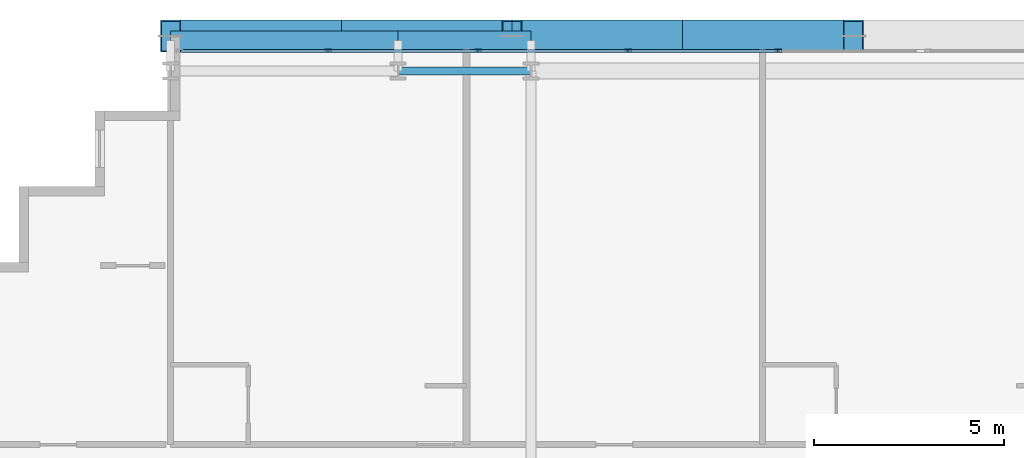
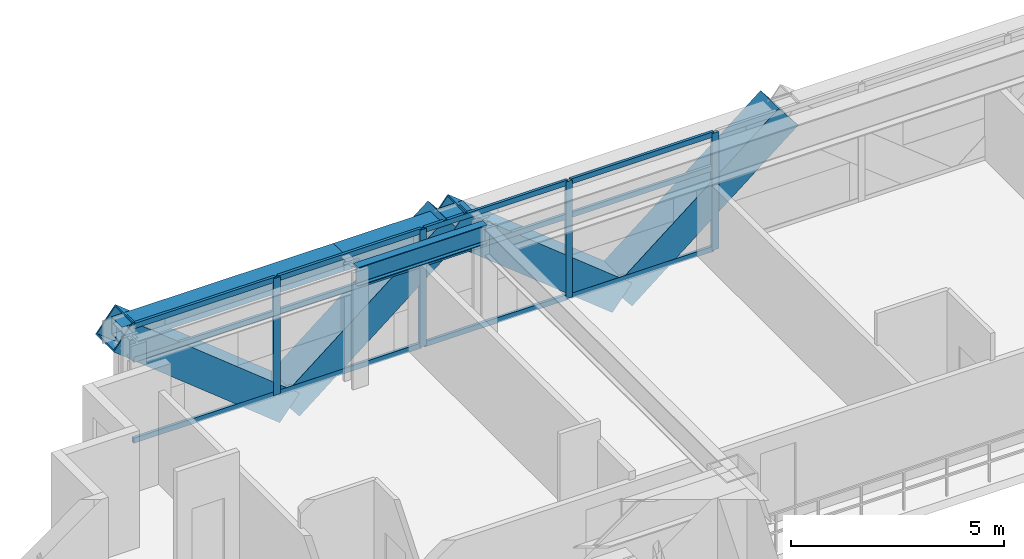
# One storey, part 18 of 38: 20 members, 3 beams, 1 element without a shape of its own.
"""IFC4 building model written with IfcOpenShell, lengths in metres."""

from ifc_helpers import new_model, si_unit, direction, frame, origin, origin_2d, place, context, subcontext, project, spatial, hollow_rectangle, i_section, extrude, source, transform, mapped, material, layer, layer_set, material_profile, profile_set, type_object, element, aggregate, save


model = new_model("IFC4")

# Units and contexts
model_context = context("Model", 3, precision=1e-05, world=origin(), true_north=direction((0.0, 1.0)))
body_context = subcontext(model_context, "Body", "Model", "MODEL_VIEW")
ifc_project = project(units=[si_unit("LENGTHUNIT", "METRE"), si_unit("AREAUNIT", "SQUARE_METRE"), si_unit("VOLUMEUNIT", "CUBIC_METRE"), si_unit("PLANEANGLEUNIT", "RADIAN"), si_unit("MASSUNIT", "GRAM", prefix="KILO")], contexts=[model_context])

# Site, building, storey
site_placement = place(None, origin())
site = spatial("IfcSite", under=ifc_project, at=site_placement, CompositionType="ELEMENT")
building_placement = place(site_placement, origin())
building = spatial("IfcBuilding", under=site, at=building_placement, Name="Ocotamira Hotel", CompositionType="ELEMENT")
storey_placement = place(building_placement, frame((0.0, 0.0, 60.0)))
storey = spatial("IfcBuildingStorey", under=building, at=storey_placement, Name="L14", CompositionType="ELEMENT", Elevation=60.0)

# Beams
ifc_material_1 = material(Name="Steel ASTM A992 Grade 50", Category="steel")
ifc_material_profile_1 = material_profile(ifc_material_1, i_section(OverallWidth=0.2099609375, OverallDepth=0.537109375, WebThickness=0.010986328125, FlangeThickness=0.017333984375, FilletRadius=0.012939453125, at=origin_2d()), Name="W21X68")
ifc_profile_set_1 = profile_set([ifc_material_profile_1], Name="Steel ASTM A992 Grade 50")
beam_type_1 = type_object("IfcBeamType", Name="BM-SEC-W21X68", PredefinedType="JOIST", material=ifc_profile_set_1)
shared_shape_1 = source(origin(), body_context, "Body", "SweptSolid", [
    extrude(i_section(OverallWidth=0.2099609375, OverallDepth=0.537109375, WebThickness=0.010986328125, FlangeThickness=0.017333984375, FilletRadius=0.012939453125, at=origin_2d()), origin(), (0.0, 0.0, 1.0), 3.5),
])
beam_1_placement = place(storey_placement, frame((20.0, 49.050048828125, 3.08154296875), z_axis=(1.0, 0.0, 0.0), x_axis=(0.0, 1.0, 0.0)))
element("IfcBeam", 1, at=beam_1_placement, inside=storey, type_object=beam_type_1, Name="L14 Girder Y49.05 X20-23.5", PredefinedType="JOIST", context=body_context, shape_type="MappedRepresentation", body=[
    mapped(shared_shape_1, transform((0.0, 0.0, 0.0), scale=1.0)),
])
ifc_material_2 = material(Name="Steel ASTM A500 Grade C", Category="steel")
ifc_material_profile_2 = material_profile(ifc_material_2, hollow_rectangle(XDim=0.5, YDim=0.5, WallThickness=0.02001953125, at=origin_2d()), Name="HSS500X500X20")
ifc_profile_set_2 = profile_set([ifc_material_profile_2], Name="Steel ASTM A500 Grade C")
beam_type_2 = type_object("IfcBeamType", Name="BM-SPAN-HSS500", PredefinedType="USERDEFINED", material=ifc_profile_set_2)
shared_shape_2 = source(origin(), body_context, "Body", "SweptSolid", [
    extrude(hollow_rectangle(XDim=0.5, YDim=0.5, WallThickness=0.02001953125, at=origin_2d()), origin(), (0.0, 0.0, 1.0), 6.0),
])
beam_2_placement = place(storey_placement, frame((14.0, 49.85009765625, 3.10009765625), z_axis=(1.0, 0.0, 0.0), x_axis=(0.0, 1.0, 0.0)))
element("IfcBeam", 2, at=beam_2_placement, inside=storey, type_object=beam_type_2, Name="L14 Edge Spandrel N X14-20", ObjectType="SPANDREL", PredefinedType="USERDEFINED", context=body_context, shape_type="MappedRepresentation", body=[
    mapped(shared_shape_2, transform((0.0, 0.0, 0.0), scale=1.0)),
])
shared_shape_3 = source(origin(), body_context, "Body", "SweptSolid", [
    extrude(hollow_rectangle(XDim=0.5, YDim=0.5, WallThickness=0.02001953125, at=origin_2d()), origin(), (0.0, 0.0, 1.0), 3.5),
])
beam_3_placement = place(storey_placement, frame((20.0, 49.85009765625, 3.10009765625), z_axis=(1.0, 0.0, 0.0), x_axis=(0.0, 1.0, 0.0)))
element("IfcBeam", 3, at=beam_3_placement, inside=storey, type_object=beam_type_2, Name="L14 Edge Spandrel N X20-23.5", ObjectType="SPANDREL", PredefinedType="USERDEFINED", context=body_context, shape_type="MappedRepresentation", body=[
    mapped(shared_shape_3, transform((0.0, 0.0, 0.0), scale=1.0)),
])

# Members
ifc_material_3 = material(Name="Pale-metal coated steel ASTM A913 Grade 65", Category="steel")
ifc_material_profile_3 = material_profile(ifc_material_3, hollow_rectangle(XDim=0.85009765625, YDim=0.85009765625, WallThickness=0.035888671875, at=origin_2d()), Name="BOX850X850X36")
ifc_profile_set_3 = profile_set([ifc_material_profile_3], Name="Pale-metal coated steel ASTM A913 Grade 65")
member_type_1 = type_object("IfcMemberType", Name="MEM-EXO-BOX850", PredefinedType="BRACE", material=ifc_profile_set_3)
shared_shape_4 = source(origin(), body_context, "Body", "SweptSolid", [
    extrude(hollow_rectangle(XDim=0.85009765625, YDim=0.85009765625, WallThickness=0.035888671875, at=origin_2d()), origin(), (0.0, 0.0, 1.0), 5.762939453125),
])
for number, where, z_axis, x_axis, name in (
    (4, (18.5, 49.969970703125, -0.5), (-0.780860543151, 0.0, 0.624705380279), (0.0, -1.0, 0.0), "L14 Exoskeleton Diagrid N0.1"),
    (5, (18.5, 49.969970703125, -0.5), (0.780860543151, 0.0, 0.624705380279), (0.0, 1.0, 0.0), "L14 Exoskeleton Diagrid N0.2"),
    (6, (27.5, 49.969970703125, -0.5), (-0.780860543151, 0.0, 0.624705380279), (0.0, -1.0, 0.0), "L14 Exoskeleton Diagrid N1.1"),
    (7, (27.5, 49.969970703125, -0.5), (0.780860543151, 0.0, 0.624705380279), (0.0, 1.0, 0.0), "L14 Exoskeleton Diagrid N1.2"),
):
    element("IfcMember", number, at=place(storey_placement, frame(where, z_axis=z_axis, x_axis=x_axis)), inside=storey, type_object=member_type_1, Name=name, PredefinedType="BRACE", context=body_context, shape_type="MappedRepresentation", body=[
        mapped(shared_shape_4, transform((0.0, 0.0, 0.0), scale=1.0)),
    ])

# Curtain wall, members
ifc_material_4 = material(Name="Anodised pale-metal aluminium and solar glass", Category="aluminium")
ifc_layer = layer(ifc_material_4, 0.179931640625)
ifc_layer_set = layer_set([ifc_layer], Name="Anodised pale-metal aluminium and solar glass")
curtain_wall_type = type_object("IfcCurtainWallType", Name="CW-SYS2-Z1", PredefinedType="NOTDEFINED", material=ifc_layer_set)
curtain_wall_placement = place(storey_placement, origin())
curtain_wall = element("IfcCurtainWall", 8, at=curtain_wall_placement, inside=storey, type_object=curtain_wall_type, Name="L14 Curtain Wall CW-2 CW-L14-N", PredefinedType="NOTDEFINED")
ifc_material_5 = material(Name="Anodised pale-metal aluminium 6063-T6", Category="aluminium")
ifc_material_profile_4 = material_profile(ifc_material_5, hollow_rectangle(XDim=0.074951171875, YDim=0.14990234375, WallThickness=0.006103515625, at=origin_2d()), Name="HSS150X75X6")
ifc_profile_set_4 = profile_set([ifc_material_profile_4], Name="Anodised pale-metal aluminium 6063-T6")
member_type_2 = type_object("IfcMemberType", Name="CWT-150X75", PredefinedType="USERDEFINED", material=ifc_profile_set_4)
shared_shape_5 = source(origin(), body_context, "Body", "SweptSolid", [
    extrude(hollow_rectangle(XDim=0.074951171875, YDim=0.14990234375, WallThickness=0.006103515625, at=origin_2d()), origin(), (0.0, 0.0, 1.0), 3.83544921875),
])
member_1_placement = place(storey_placement, frame((14.280029296875, 49.580078125, 0.03759765625), z_axis=(1.0, 0.0, 0.0), x_axis=(0.0, 1.0, 0.0)))
member_1 = element("IfcMember", 9, at=member_1_placement, type_object=member_type_2, Name="CW-2 transom 1.1", ObjectType="TRANSOM", PredefinedType="USERDEFINED", context=body_context, shape_type="MappedRepresentation", body=[
    mapped(shared_shape_5, transform((0.0, 0.0, 0.0), scale=1.0)),
])
member_2_placement = place(storey_placement, frame((14.280029296875, 49.580078125, 2.35009765625), z_axis=(1.0, 0.0, 0.0), x_axis=(0.0, 1.0, 0.0)))
member_2 = element("IfcMember", 10, at=member_2_placement, type_object=member_type_2, Name="CW-2 transom 1.2", ObjectType="TRANSOM", PredefinedType="USERDEFINED", context=body_context, shape_type="MappedRepresentation", body=[
    mapped(shared_shape_5, transform((0.0, 0.0, 0.0), scale=1.0)),
])
member_3_placement = place(storey_placement, frame((14.280029296875, 49.580078125, 3.3125), z_axis=(1.0, 0.0, 0.0), x_axis=(0.0, 1.0, 0.0)))
member_3 = element("IfcMember", 11, at=member_3_placement, type_object=member_type_2, Name="CW-2 transom 1.3", ObjectType="TRANSOM", PredefinedType="USERDEFINED", context=body_context, shape_type="MappedRepresentation", body=[
    mapped(shared_shape_5, transform((0.0, 0.0, 0.0), scale=1.0)),
])
shared_shape_6 = source(origin(), body_context, "Body", "SweptSolid", [
    extrude(hollow_rectangle(XDim=0.074951171875, YDim=0.14990234375, WallThickness=0.006103515625, at=origin_2d()), origin(), (0.0, 0.0, 1.0), 3.87548828125),
])
member_4_placement = place(storey_placement, frame((18.195556640625, 49.580078125, 0.03759765625), z_axis=(1.0, 0.0, 0.0), x_axis=(0.0, 1.0, 0.0)))
member_4 = element("IfcMember", 12, at=member_4_placement, type_object=member_type_2, Name="CW-2 transom 2.1", ObjectType="TRANSOM", PredefinedType="USERDEFINED", context=body_context, shape_type="MappedRepresentation", body=[
    mapped(shared_shape_6, transform((0.0, 0.0, 0.0), scale=1.0)),
])
member_5_placement = place(storey_placement, frame((18.195556640625, 49.580078125, 2.35009765625), z_axis=(1.0, 0.0, 0.0), x_axis=(0.0, 1.0, 0.0)))
member_5 = element("IfcMember", 13, at=member_5_placement, type_object=member_type_2, Name="CW-2 transom 2.2", ObjectType="TRANSOM", PredefinedType="USERDEFINED", context=body_context, shape_type="MappedRepresentation", body=[
    mapped(shared_shape_6, transform((0.0, 0.0, 0.0), scale=1.0)),
])
member_6_placement = place(storey_placement, frame((18.195556640625, 49.580078125, 3.3125), z_axis=(1.0, 0.0, 0.0), x_axis=(0.0, 1.0, 0.0)))
member_6 = element("IfcMember", 14, at=member_6_placement, type_object=member_type_2, Name="CW-2 transom 2.3", ObjectType="TRANSOM", PredefinedType="USERDEFINED", context=body_context, shape_type="MappedRepresentation", body=[
    mapped(shared_shape_6, transform((0.0, 0.0, 0.0), scale=1.0)),
])
member_7_placement = place(storey_placement, frame((22.151123046875, 49.580078125, 0.03759765625), z_axis=(1.0, 0.0, 0.0), x_axis=(0.0, 1.0, 0.0)))
member_7 = element("IfcMember", 15, at=member_7_placement, type_object=member_type_2, Name="CW-2 transom 3.1", ObjectType="TRANSOM", PredefinedType="USERDEFINED", context=body_context, shape_type="MappedRepresentation", body=[
    mapped(shared_shape_6, transform((0.0, 0.0, 0.0), scale=1.0)),
])
member_8_placement = place(storey_placement, frame((22.151123046875, 49.580078125, 2.35009765625), z_axis=(1.0, 0.0, 0.0), x_axis=(0.0, 1.0, 0.0)))
member_8 = element("IfcMember", 16, at=member_8_placement, type_object=member_type_2, Name="CW-2 transom 3.2", ObjectType="TRANSOM", PredefinedType="USERDEFINED", context=body_context, shape_type="MappedRepresentation", body=[
    mapped(shared_shape_6, transform((0.0, 0.0, 0.0), scale=1.0)),
])
member_9_placement = place(storey_placement, frame((22.151123046875, 49.580078125, 3.3125), z_axis=(1.0, 0.0, 0.0), x_axis=(0.0, 1.0, 0.0)))
member_9 = element("IfcMember", 17, at=member_9_placement, type_object=member_type_2, Name="CW-2 transom 3.3", ObjectType="TRANSOM", PredefinedType="USERDEFINED", context=body_context, shape_type="MappedRepresentation", body=[
    mapped(shared_shape_6, transform((0.0, 0.0, 0.0), scale=1.0)),
])
member_10_placement = place(storey_placement, frame((26.106689453125, 49.580078125, 0.03759765625), z_axis=(1.0, 0.0, 0.0), x_axis=(0.0, 1.0, 0.0)))
member_10 = element("IfcMember", 18, at=member_10_placement, type_object=member_type_2, Name="CW-2 transom 4.1", ObjectType="TRANSOM", PredefinedType="USERDEFINED", context=body_context, shape_type="MappedRepresentation", body=[
    mapped(shared_shape_6, transform((0.0, 0.0, 0.0), scale=1.0)),
])
member_11_placement = place(storey_placement, frame((26.106689453125, 49.580078125, 2.35009765625), z_axis=(1.0, 0.0, 0.0), x_axis=(0.0, 1.0, 0.0)))
member_11 = element("IfcMember", 19, at=member_11_placement, type_object=member_type_2, Name="CW-2 transom 4.2", ObjectType="TRANSOM", PredefinedType="USERDEFINED", context=body_context, shape_type="MappedRepresentation", body=[
    mapped(shared_shape_6, transform((0.0, 0.0, 0.0), scale=1.0)),
])
member_12_placement = place(storey_placement, frame((26.106689453125, 49.580078125, 3.3125), z_axis=(1.0, 0.0, 0.0), x_axis=(0.0, 1.0, 0.0)))
member_12 = element("IfcMember", 20, at=member_12_placement, type_object=member_type_2, Name="CW-2 transom 4.3", ObjectType="TRANSOM", PredefinedType="USERDEFINED", context=body_context, shape_type="MappedRepresentation", body=[
    mapped(shared_shape_6, transform((0.0, 0.0, 0.0), scale=1.0)),
])
ifc_material_profile_5 = material_profile(ifc_material_5, hollow_rectangle(XDim=0.080078125, YDim=0.179931640625, WallThickness=0.006103515625, at=origin_2d()), Name="HSS180X80X6")
ifc_profile_set_5 = profile_set([ifc_material_profile_5], Name="Anodised pale-metal aluminium 6063-T6")
member_type_3 = type_object("IfcMemberType", Name="CWM-180X75", PredefinedType="MULLION", material=ifc_profile_set_5)
shared_shape_7 = source(origin(), body_context, "Body", "SweptSolid", [
    extrude(hollow_rectangle(XDim=0.080078125, YDim=0.179931640625, WallThickness=0.006103515625, at=origin_2d()), origin(), (0.0, 0.0, 1.0), 3.35009765625),
])
member_13_placement = place(storey_placement, frame((18.155517578125, 49.580078125, 0.0), z_axis=(0.0, 0.0, 1.0), x_axis=(0.0, 1.0, 0.0)))
member_13 = element("IfcMember", 21, at=member_13_placement, type_object=member_type_3, Name="CW-2 mullion 2", PredefinedType="MULLION", context=body_context, shape_type="MappedRepresentation", body=[
    mapped(shared_shape_7, transform((0.0, 0.0, 0.0), scale=1.0)),
])
member_14_placement = place(storey_placement, frame((22.111083984375, 49.580078125, 0.0), z_axis=(0.0, 0.0, 1.0), x_axis=(0.0, 1.0, 0.0)))
member_14 = element("IfcMember", 22, at=member_14_placement, type_object=member_type_3, Name="CW-2 mullion 3", PredefinedType="MULLION", context=body_context, shape_type="MappedRepresentation", body=[
    mapped(shared_shape_7, transform((0.0, 0.0, 0.0), scale=1.0)),
])
member_15_placement = place(storey_placement, frame((26.066650390625, 49.580078125, 0.0), z_axis=(0.0, 0.0, 1.0), x_axis=(0.0, 1.0, 0.0)))
member_15 = element("IfcMember", 23, at=member_15_placement, type_object=member_type_3, Name="CW-2 mullion 4", PredefinedType="MULLION", context=body_context, shape_type="MappedRepresentation", body=[
    mapped(shared_shape_7, transform((0.0, 0.0, 0.0), scale=1.0)),
])
member_16_placement = place(storey_placement, frame((30.022216796875, 49.580078125, 0.0), z_axis=(0.0, 0.0, 1.0), x_axis=(0.0, 1.0, 0.0)))
member_16 = element("IfcMember", 24, at=member_16_placement, type_object=member_type_3, Name="CW-2 mullion 5", PredefinedType="MULLION", context=body_context, shape_type="MappedRepresentation", body=[
    mapped(shared_shape_7, transform((0.0, 0.0, 0.0), scale=1.0)),
])
aggregate(curtain_wall, [member_13, member_14, member_15, member_16, member_1, member_2, member_3, member_4, member_5, member_6, member_7, member_8, member_9, member_10, member_11, member_12])

save(model, "model.ifc")
